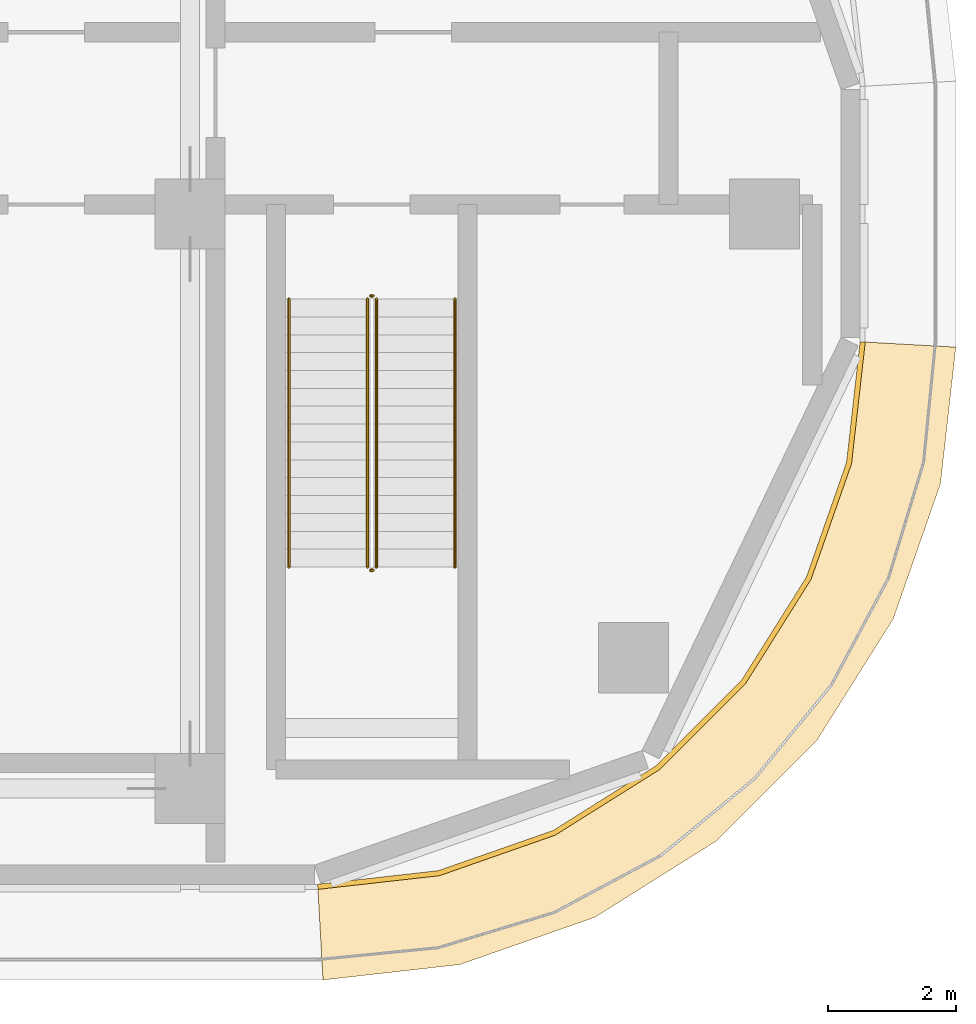
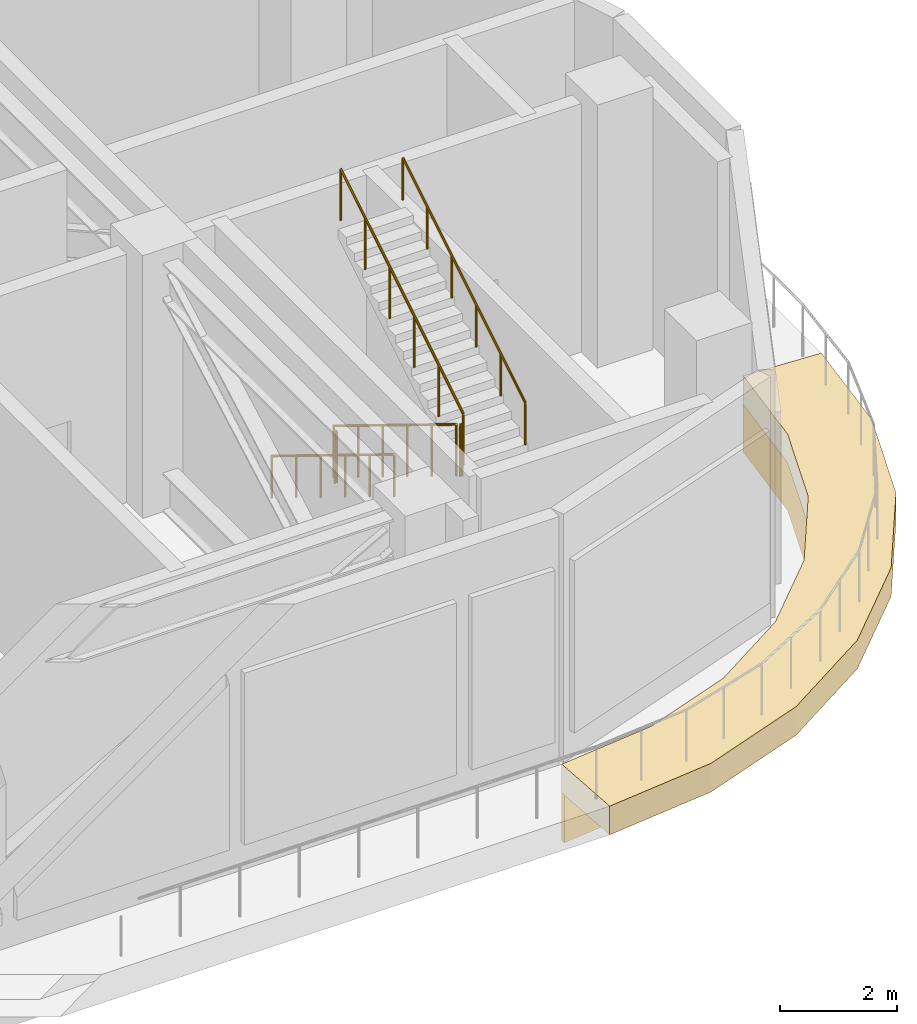
# One storey, part 16 of 18: 6 railings, 2 coverings.
"""IFC4 building model written with IfcOpenShell, lengths in metres."""

from ifc_helpers import new_model, si_unit, direction, frame, origin, origin_2d, place, context, subcontext, project, spatial, polyline, circle, outline, extrude, material, layer, layer_set, type_object, element, save


model = new_model("IFC4")

# Units and contexts
model_context = context("Model", 3, precision=1e-05, world=origin(), true_north=direction((0.0, 1.0)))
body_context = subcontext(model_context, "Body", "Model", "MODEL_VIEW")
ifc_project = project(units=[si_unit("LENGTHUNIT", "METRE"), si_unit("AREAUNIT", "SQUARE_METRE"), si_unit("VOLUMEUNIT", "CUBIC_METRE"), si_unit("PLANEANGLEUNIT", "RADIAN"), si_unit("MASSUNIT", "GRAM", prefix="KILO")], contexts=[model_context])

# Site, building, storey
site_placement = place(None, origin())
site = spatial("IfcSite", under=ifc_project, at=site_placement, CompositionType="ELEMENT")
building_placement = place(site_placement, origin())
building = spatial("IfcBuilding", under=site, at=building_placement, Name="Ogive Portal Towers", CompositionType="ELEMENT")
storey_placement = place(building_placement, frame((0.0, 0.0, 190.300048828125)))
storey = spatial("IfcBuildingStorey", under=building, at=storey_placement, Name="L47", CompositionType="ELEMENT", Elevation=190.300048828125)

# Railings
ifc_material_1 = material(Name="Stainless steel balustrade", Category="steel")
railing_type_1 = type_object("IfcRailingType", Name="INT-GUARD", PredefinedType="GUARDRAIL", material=ifc_material_1)
railing_1_placement = place(storey_placement, frame((88.280029296875, 29.169921875, 0.171875)))
element("IfcRailing", 1, at=railing_1_placement, inside=storey, type_object=railing_type_1, Name="L47 ST-A4 stair guard 1", PredefinedType="GUARDRAIL", context=body_context, shape_type="SweptSolid", body=[
    extrude(circle(Radius=0.02392578125, at=origin_2d()), frame((0.0, 0.0, 1.076171875), z_axis=(0.0, -0.852242915053, 0.523146264196), x_axis=(1.0, 0.0, 0.0)), (0.0, 0.0, 1.0), 4.92822265625),
    extrude(circle(Radius=0.02099609375, at=origin_2d()), origin(), (0.0, 0.0, 1.0), 1.052001953125),
    extrude(circle(Radius=0.02099609375, at=origin_2d()), frame((0.0, -0.840087890625, 0.515625)), (0.0, 0.0, 1.0), 1.052001953125),
    extrude(circle(Radius=0.02099609375, at=origin_2d()), frame((0.0, -1.679931640625, 1.03125)), (0.0, 0.0, 1.0), 1.052001953125),
    extrude(circle(Radius=0.02099609375, at=origin_2d()), frame((0.0, -2.52001953125, 1.546875)), (0.0, 0.0, 1.0), 1.052001953125),
    extrude(circle(Radius=0.02099609375, at=origin_2d()), frame((0.0, -3.35986328125, 2.0625)), (0.0, 0.0, 1.0), 1.052001953125),
    extrude(circle(Radius=0.02099609375, at=origin_2d()), frame((0.0, -4.199951171875, 2.578125)), (0.0, 0.0, 1.0), 1.052001953125),
])
railing_2_placement = place(storey_placement, frame((88.330078125, 24.919921875, 2.75)))
element("IfcRailing", 2, at=railing_2_placement, inside=storey, type_object=railing_type_1, Name="L47 ST-A4 stair guard 2", PredefinedType="GUARDRAIL", context=body_context, shape_type="SweptSolid", body=[
    extrude(circle(Radius=0.02392578125, at=origin_2d()), frame((0.0, 0.0, 1.076171875), z_axis=(1.0, 0.0, 0.0), x_axis=(0.0, 1.0, 0.0)), (0.0, 0.0, 1.0), 0.0400390625),
    extrude(circle(Radius=0.02099609375, at=origin_2d()), origin(), (0.0, 0.0, 1.0), 1.052001953125),
    extrude(circle(Radius=0.02099609375, at=origin_2d()), frame((0.0400390625, 0.0, 0.0)), (0.0, 0.0, 1.0), 1.052001953125),
])
railing_3_placement = place(storey_placement, frame((88.419921875, 24.969970703125, 2.921875)))
element("IfcRailing", 3, at=railing_3_placement, inside=storey, type_object=railing_type_1, Name="L47 ST-A4 stair guard 3", PredefinedType="GUARDRAIL", context=body_context, shape_type="SweptSolid", body=[
    extrude(circle(Radius=0.02392578125, at=origin_2d()), frame((0.0, 0.0, 1.076171875), z_axis=(0.0, 0.852242915053, 0.523146264196), x_axis=(-1.0, 0.0, 0.0)), (0.0, 0.0, 1.0), 4.92822265625),
    extrude(circle(Radius=0.02099609375, at=origin_2d()), origin(), (0.0, 0.0, 1.0), 1.052001953125),
    extrude(circle(Radius=0.02099609375, at=origin_2d()), frame((0.0, 0.840087890625, 0.515625)), (0.0, 0.0, 1.0), 1.052001953125),
    extrude(circle(Radius=0.02099609375, at=origin_2d()), frame((0.0, 1.679931640625, 1.03125)), (0.0, 0.0, 1.0), 1.052001953125),
    extrude(circle(Radius=0.02099609375, at=origin_2d()), frame((0.0, 2.52001953125, 1.546875)), (0.0, 0.0, 1.0), 1.052001953125),
    extrude(circle(Radius=0.02099609375, at=origin_2d()), frame((0.0, 3.35986328125, 2.0625)), (0.0, 0.0, 1.0), 1.052001953125),
    extrude(circle(Radius=0.02099609375, at=origin_2d()), frame((0.0, 4.199951171875, 2.578125)), (0.0, 0.0, 1.0), 1.052001953125),
])
railing_4_placement = place(storey_placement, frame((88.330078125, 29.219970703125, 0.0)))
element("IfcRailing", 4, at=railing_4_placement, inside=storey, type_object=railing_type_1, Name="L47 ST-A4 stair guard 4", PredefinedType="GUARDRAIL", context=body_context, shape_type="SweptSolid", body=[
    extrude(circle(Radius=0.02392578125, at=origin_2d()), frame((0.0, 0.0, 1.076171875), z_axis=(1.0, 0.0, 0.0), x_axis=(0.0, 1.0, 0.0)), (0.0, 0.0, 1.0), 0.0400390625),
    extrude(circle(Radius=0.02099609375, at=origin_2d()), origin(), (0.0, 0.0, 1.0), 1.052001953125),
    extrude(circle(Radius=0.02099609375, at=origin_2d()), frame((0.0400390625, 0.0, 0.0)), (0.0, 0.0, 1.0), 1.052001953125),
])
ifc_material_2 = material(Name="Stainless steel handrail", Category="steel")
railing_type_2 = type_object("IfcRailingType", Name="INT-HANDRAIL", PredefinedType="HANDRAIL", material=ifc_material_2)
railing_5_placement = place(storey_placement, frame((87.050048828125, 29.169921875, 0.171875)))
element("IfcRailing", 5, at=railing_5_placement, inside=storey, type_object=railing_type_2, Name="L47 ST-A4 stair handrail 1", PredefinedType="HANDRAIL", context=body_context, shape_type="SweptSolid", body=[
    extrude(circle(Radius=0.02392578125, at=origin_2d()), frame((0.0, 0.0, 0.8759765625), z_axis=(0.0, -0.852242915053, 0.523146264196), x_axis=(1.0, 0.0, 0.0)), (0.0, 0.0, 1.0), 4.92822265625),
    extrude(circle(Radius=0.02099609375, at=origin_2d()), origin(), (0.0, 0.0, 1.0), 0.851806640625),
    extrude(circle(Radius=0.02099609375, at=origin_2d()), frame((0.0, -0.840087890625, 0.515625)), (0.0, 0.0, 1.0), 0.851806640625),
    extrude(circle(Radius=0.02099609375, at=origin_2d()), frame((0.0, -1.679931640625, 1.03125)), (0.0, 0.0, 1.0), 0.851806640625),
    extrude(circle(Radius=0.02099609375, at=origin_2d()), frame((0.0, -2.52001953125, 1.546875)), (0.0, 0.0, 1.0), 0.851806640625),
    extrude(circle(Radius=0.02099609375, at=origin_2d()), frame((0.0, -3.35986328125, 2.0625)), (0.0, 0.0, 1.0), 0.851806640625),
    extrude(circle(Radius=0.02099609375, at=origin_2d()), frame((0.0, -4.199951171875, 2.578125)), (0.0, 0.0, 1.0), 0.851806640625),
])
railing_6_placement = place(storey_placement, frame((89.64990234375, 24.969970703125, 2.921875)))
element("IfcRailing", 6, at=railing_6_placement, inside=storey, type_object=railing_type_2, Name="L47 ST-A4 stair handrail 2", PredefinedType="HANDRAIL", context=body_context, shape_type="SweptSolid", body=[
    extrude(circle(Radius=0.02392578125, at=origin_2d()), frame((0.0, 0.0, 0.8759765625), z_axis=(0.0, 0.852242915053, 0.523146264196), x_axis=(-1.0, 0.0, 0.0)), (0.0, 0.0, 1.0), 4.92822265625),
    extrude(circle(Radius=0.02099609375, at=origin_2d()), origin(), (0.0, 0.0, 1.0), 0.851806640625),
    extrude(circle(Radius=0.02099609375, at=origin_2d()), frame((0.0, 0.840087890625, 0.515625)), (0.0, 0.0, 1.0), 0.851806640625),
    extrude(circle(Radius=0.02099609375, at=origin_2d()), frame((0.0, 1.679931640625, 1.03125)), (0.0, 0.0, 1.0), 0.851806640625),
    extrude(circle(Radius=0.02099609375, at=origin_2d()), frame((0.0, 2.52001953125, 1.546875)), (0.0, 0.0, 1.0), 0.851806640625),
    extrude(circle(Radius=0.02099609375, at=origin_2d()), frame((0.0, 3.35986328125, 2.0625)), (0.0, 0.0, 1.0), 0.851806640625),
    extrude(circle(Radius=0.02099609375, at=origin_2d()), frame((0.0, 4.199951171875, 2.578125)), (0.0, 0.0, 1.0), 0.851806640625),
])

# Coverings
ifc_material_3 = material(Name="Limestone cladding on lightweight block wall", Category="masonry")
ifc_layer_1 = layer(ifc_material_3, 0.080078125)
ifc_layer_set_1 = layer_set([ifc_layer_1], Name="STONE SPANDREL 80")
covering_type_1 = type_object("IfcCoveringType", Name="STONE SPANDREL 80", PredefinedType="CLADDING", material=ifc_layer_set_1)
covering_1_placement = place(storey_placement, frame((0.0, 0.0, -1.60009765625)))
element("IfcCovering", 7, at=covering_1_placement, inside=storey, type_object=covering_type_1, Name="Stone spandrel A1-F06", PredefinedType="CLADDING", context=body_context, shape_type="SweptSolid", body=[
    extrude(outline(polyline([(87.5, 20.0), (89.391357421875, 20.213134765625), (91.18798828125, 20.841796875), (92.799560546875, 21.8544921875), (94.1455078125, 23.200439453125), (95.158203125, 24.81201171875), (95.786865234375, 26.608642578125), (96.0, 28.5), (96.080078125, 28.49560546875), (95.865478515625, 26.590576171875), (95.230712890625, 24.777099609375), (94.20849609375, 23.150146484375), (92.849853515625, 21.79150390625), (91.222900390625, 20.769287109375), (89.409423828125, 20.134521484375), (87.50439453125, 19.919921875), (87.5, 20.0)])), origin(), (0.0, 0.0, 1.0), 1.0),
])
ifc_layer_2 = layer(ifc_material_3, 0.60009765625)
ifc_layer_set_2 = layer_set([ifc_layer_2], Name="SUNSHADE LIP 600")
covering_type_2 = type_object("IfcCoveringType", Name="SUNSHADE LIP 600", PredefinedType="CLADDING", material=ifc_layer_set_2)
covering_2_placement = place(storey_placement, frame((0.0, 0.0, -0.60009765625)))
element("IfcCovering", 8, at=covering_2_placement, inside=storey, type_object=covering_type_2, Name="Sunshade lip A1-F06", PredefinedType="CLADDING", context=body_context, shape_type="SweptSolid", body=[
    extrude(outline(polyline([(87.5, 20.0), (89.391357421875, 20.213134765625), (91.18798828125, 20.841796875), (92.799560546875, 21.8544921875), (94.1455078125, 23.200439453125), (95.158203125, 24.81201171875), (95.786865234375, 26.608642578125), (96.0, 28.5), (97.5, 28.415771484375), (97.258544921875, 26.272705078125), (96.518310546875, 24.156982421875), (95.32568359375, 22.25927734375), (93.74072265625, 20.67431640625), (91.843017578125, 19.481689453125), (89.727294921875, 18.741455078125), (87.584228515625, 18.5), (87.5, 20.0)])), origin(), (0.0, 0.0, 1.0), 0.60009765625),
])

save(model, "model.ifc")
